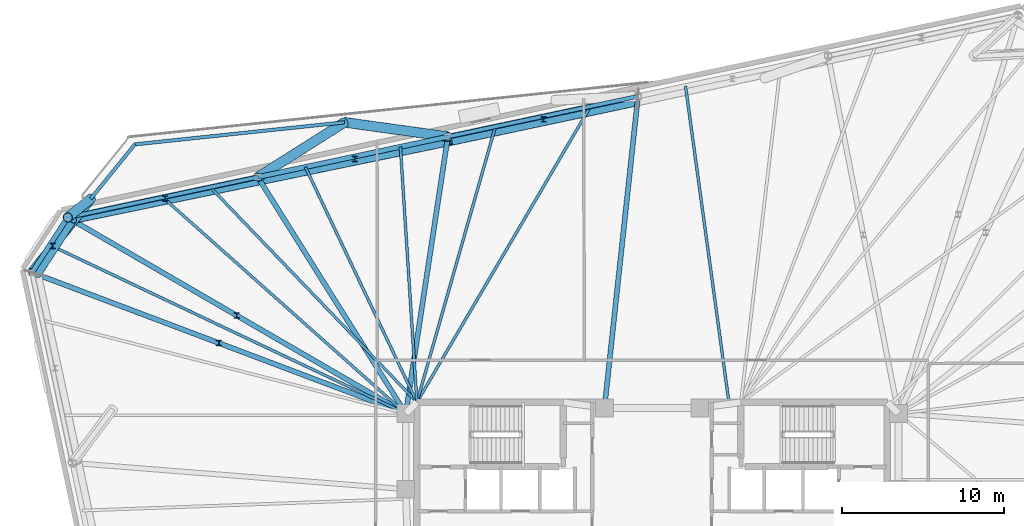
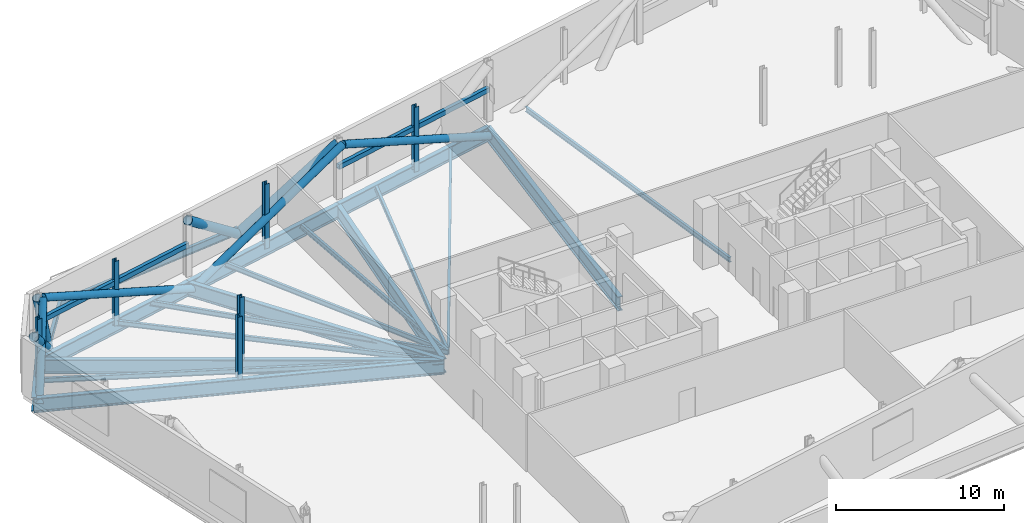
# One storey, part 9 of 19: 19 beams, 16 members.
"""IFC4 building model written with IfcOpenShell, lengths in metres."""

from ifc_helpers import new_model, si_unit, direction, frame, origin, origin_2d, place, context, subcontext, project, spatial, hollow_rectangle, hollow_circle, i_section, extrude, material, material_profile, profile_set, type_object, element, save


model = new_model("IFC4")

# Units and contexts
model_context = context("Model", 3, precision=1e-05, world=origin(), true_north=direction((0.0, 1.0)))
body_context = subcontext(model_context, "Body", "Model", "MODEL_VIEW")
ifc_project = project(units=[si_unit("LENGTHUNIT", "METRE"), si_unit("AREAUNIT", "SQUARE_METRE"), si_unit("VOLUMEUNIT", "CUBIC_METRE"), si_unit("PLANEANGLEUNIT", "RADIAN"), si_unit("MASSUNIT", "GRAM", prefix="KILO")], contexts=[model_context])

# Site, building, storey
site_placement = place(None, origin())
site = spatial("IfcSite", under=ifc_project, at=site_placement, CompositionType="ELEMENT")
building_placement = place(site_placement, origin())
building = spatial("IfcBuilding", under=site, at=building_placement, Name="Menara Jurai Vektor", CompositionType="ELEMENT")
storey_placement = place(building_placement, frame((0.0, 0.0, 142.89990234375)))
storey = spatial("IfcBuildingStorey", under=building, at=storey_placement, Name="L36", CompositionType="ELEMENT", Elevation=142.89990234375)

# Beams
ifc_material_1 = material(Name="Steel S355", Category="steel")
ifc_material_profile_1 = material_profile(ifc_material_1, i_section(OverallWidth=0.2109375, OverallDepth=0.5390625, WebThickness=0.011962890625, FlangeThickness=0.01904296875, FilletRadius=0.012939453125, at=origin_2d()), Name="UKB 533x210x109")
ifc_profile_set_1 = profile_set([ifc_material_profile_1], Name="Steel S355")
beam_type_1 = type_object("IfcBeamType", Name="STR-BM-533", PredefinedType="BEAM", material=ifc_profile_set_1)
beam_1_placement = place(storey_placement, frame((-19.042236328125, 22.92919921875, -0.67431640625), z_axis=(-0.994523580592, -0.104512428191, 0.0), x_axis=(0.104512428191, -0.994523580592, 0.0)))
element("IfcBeam", 1, at=beam_1_placement, inside=storey, type_object=beam_type_1, Name="Step Terrace Edge Beam L36-15", PredefinedType="BEAM", context=body_context, shape_type="SweptSolid", body=[
    extrude(i_section(OverallWidth=0.2109375, OverallDepth=0.5390625, WebThickness=0.011962890625, FlangeThickness=0.01904296875, FilletRadius=0.012939453125, at=origin_2d()), origin(), (0.0, 0.0, 1.0), 13.05126953125),
])
beam_2_placement = place(storey_placement, frame((-32.02197265625, 21.565185546875, -0.67431640625), z_axis=(-0.629309762217, -0.777154568396, 0.0), x_axis=(0.777154568396, -0.629309762217, 0.0)))
element("IfcBeam", 2, at=beam_2_placement, inside=storey, type_object=beam_type_1, Name="Step Terrace Edge Beam L36-16", PredefinedType="BEAM", context=body_context, shape_type="SweptSolid", body=[
    extrude(i_section(OverallWidth=0.2109375, OverallDepth=0.5390625, WebThickness=0.011962890625, FlangeThickness=0.01904296875, FilletRadius=0.012939453125, at=origin_2d()), origin(), (0.0, 0.0, 1.0), 4.3447265625),
])
ifc_material_2 = material(Name="Steel S460", Category="steel")
ifc_material_profile_2 = material_profile(ifc_material_2, i_section(OverallWidth=0.30908203125, OverallDepth=1.035888671875, WebThickness=0.030029296875, FlangeThickness=0.053955078125, FilletRadius=0.030029296875, at=origin_2d()), Name="UKB 1016x305x487")
ifc_profile_set_2 = profile_set([ifc_material_profile_2], Name="Steel S460")
beam_type_2 = type_object("IfcBeamType", Name="STR-BM-TR1016", PredefinedType="BEAM", material=ifc_profile_set_2)
beam_3_placement = place(storey_placement, frame((-0.87158203125, 24.54296875, -0.9228515625), z_axis=(-0.978147039247, -0.207914332389, 0.0), x_axis=(0.207914332389, -0.978147039247, 0.0)))
element("IfcBeam", 3, at=beam_3_placement, inside=storey, type_object=beam_type_2, Name="Belt Truss Bottom Chord L36-13", PredefinedType="BEAM", context=body_context, shape_type="SweptSolid", body=[
    extrude(i_section(OverallWidth=0.30908203125, OverallDepth=1.035888671875, WebThickness=0.030029296875, FlangeThickness=0.053955078125, FilletRadius=0.030029296875, at=origin_2d()), origin(), (0.0, 0.0, 1.0), 12.03125),
])
beam_4_placement = place(storey_placement, frame((-0.87158203125, 24.54296875, -0.9228515625), z_axis=(-0.107107067506, -0.994247492373, 0.0), x_axis=(0.994247492373, -0.107107067506, 0.0)))
element("IfcBeam", 4, at=beam_4_placement, inside=storey, type_object=beam_type_2, Name="Outrigger Transfer Girder L36-N3", PredefinedType="BEAM", context=body_context, shape_type="SweptSolid", body=[
    extrude(i_section(OverallWidth=0.30908203125, OverallDepth=1.035888671875, WebThickness=0.030029296875, FlangeThickness=0.053955078125, FilletRadius=0.030029296875, at=origin_2d()), origin(), (0.0, 0.0, 1.0), 19.404541015625),
])
beam_5_placement = place(storey_placement, frame((-12.639892578125, 22.04150390625, -0.9228515625), z_axis=(-0.978147039247, -0.207914332389, 0.0), x_axis=(0.207914332389, -0.978147039247, 0.0)))
element("IfcBeam", 5, at=beam_5_placement, inside=storey, type_object=beam_type_2, Name="Belt Truss Bottom Chord L36-14", PredefinedType="BEAM", context=body_context, shape_type="SweptSolid", body=[
    extrude(i_section(OverallWidth=0.30908203125, OverallDepth=1.035888671875, WebThickness=0.030029296875, FlangeThickness=0.053955078125, FilletRadius=0.030029296875, at=origin_2d()), origin(), (0.0, 0.0, 1.0), 12.03125),
])
beam_6_placement = place(storey_placement, frame((-12.639892578125, 22.04150390625, -0.9228515625), z_axis=(-0.150532344322, -0.988605084608, 0.0), x_axis=(0.988605084608, -0.150532344322, 0.0)))
element("IfcBeam", 6, at=beam_6_placement, inside=storey, type_object=beam_type_2, Name="Outrigger Transfer Girder L36-N4", PredefinedType="BEAM", context=body_context, shape_type="SweptSolid", body=[
    extrude(i_section(OverallWidth=0.30908203125, OverallDepth=1.035888671875, WebThickness=0.030029296875, FlangeThickness=0.053955078125, FilletRadius=0.030029296875, at=origin_2d()), origin(), (0.0, 0.0, 1.0), 17.339111328125),
])
beam_7_placement = place(storey_placement, frame((-24.408203125, 19.5400390625, -0.9228515625), z_axis=(-0.978150288855, -0.207899043801, 0.0), x_axis=(0.207899043801, -0.978150288855, 0.0)))
element("IfcBeam", 7, at=beam_7_placement, inside=storey, type_object=beam_type_2, Name="Belt Truss Bottom Chord L36-15", PredefinedType="BEAM", context=body_context, shape_type="SweptSolid", body=[
    extrude(i_section(OverallWidth=0.30908203125, OverallDepth=1.035888671875, WebThickness=0.030029296875, FlangeThickness=0.053955078125, FilletRadius=0.030029296875, at=origin_2d()), origin(), (0.0, 0.0, 1.0), 12.031005859375),
])
beam_8_placement = place(storey_placement, frame((-24.408203125, 19.5400390625, -0.9228515625), z_axis=(0.53033693414, -0.847786963976, 0.0), x_axis=(0.847786963976, 0.53033693414, 0.0)))
element("IfcBeam", 8, at=beam_8_placement, inside=storey, type_object=beam_type_2, Name="Outrigger Transfer Girder L36-N5", PredefinedType="BEAM", context=body_context, shape_type="SweptSolid", body=[
    extrude(i_section(OverallWidth=0.30908203125, OverallDepth=1.035888671875, WebThickness=0.030029296875, FlangeThickness=0.053955078125, FilletRadius=0.030029296875, at=origin_2d()), origin(), (0.0, 0.0, 1.0), 17.2685546875),
])
beam_9_placement = place(storey_placement, frame((-36.17626953125, 17.038818359375, -0.9228515625), z_axis=(-0.544646071268, -0.838665998507, 0.0), x_axis=(0.838665998507, -0.544646071268, 0.0)))
element("IfcBeam", 9, at=beam_9_placement, inside=storey, type_object=beam_type_2, Name="Belt Truss Bottom Chord L36-16", PredefinedType="BEAM", context=body_context, shape_type="SweptSolid", body=[
    extrude(i_section(OverallWidth=0.30908203125, OverallDepth=1.035888671875, WebThickness=0.030029296875, FlangeThickness=0.053955078125, FilletRadius=0.030029296875, at=origin_2d()), origin(), (0.0, 0.0, 1.0), 4.06201171875),
])
beam_10_placement = place(storey_placement, frame((-36.17626953125, 17.038818359375, -0.9228515625), z_axis=(0.86500105453, -0.50177004261, 0.0), x_axis=(0.50177004261, 0.86500105453, 0.0)))
element("IfcBeam", 10, at=beam_10_placement, inside=storey, type_object=beam_type_2, Name="Outrigger Transfer Girder L36-N6", PredefinedType="BEAM", context=body_context, shape_type="SweptSolid", body=[
    extrude(i_section(OverallWidth=0.30908203125, OverallDepth=1.035888671875, WebThickness=0.030029296875, FlangeThickness=0.053955078125, FilletRadius=0.030029296875, at=origin_2d()), origin(), (0.0, 0.0, 1.0), 24.192138671875),
])
beam_11_placement = place(storey_placement, frame((-38.388671875, 13.632080078125, -0.9228515625), z_axis=(0.935593658977, -0.353078610626, 0.0), x_axis=(0.353078610626, 0.935593658977, 0.0)))
element("IfcBeam", 11, at=beam_11_placement, inside=storey, type_object=beam_type_2, Name="Outrigger Transfer Girder L36-W1", PredefinedType="BEAM", context=body_context, shape_type="SweptSolid", body=[
    extrude(i_section(OverallWidth=0.30908203125, OverallDepth=1.035888671875, WebThickness=0.030029296875, FlangeThickness=0.053955078125, FilletRadius=0.030029296875, at=origin_2d()), origin(), (0.0, 0.0, 1.0), 24.7314453125),
])

# Members
ifc_material_profile_3 = material_profile(ifc_material_2, hollow_circle(Radius=0.25390625, WallThickness=0.02001953125, at=origin_2d()), Name="CHS 508x20")
ifc_profile_set_3 = profile_set([ifc_material_profile_3], Name="Steel S460")
member_type_1 = type_object("IfcMemberType", Name="STR-BR-508", PredefinedType="BRACE", material=ifc_profile_set_3)
member_1_placement = place(storey_placement, frame((-0.8955078125, 24.20361328125, -0.9228515625), z_axis=(-0.903436373892, -0.192034968748, 0.383308347296), x_axis=(0.207915460875, -0.978146799376, 0.0)))
element("IfcMember", 12, at=member_1_placement, inside=storey, type_object=member_type_1, Name="Belt Truss Web Diagonal L36-13", PredefinedType="BRACE", context=body_context, shape_type="SweptSolid", body=[
    extrude(hollow_circle(Radius=0.25390625, WallThickness=0.02001953125, at=origin_2d()), origin(), (0.0, 0.0, 1.0), 12.82275390625),
])
member_2_placement = place(storey_placement, frame((-24.137451171875, 19.334228515625, -0.9228515625), z_axis=(0.905210284945, 0.186903771791, 0.381656023299), x_axis=(-0.202210187103, 0.979342146664, 0.0)))
element("IfcMember", 13, at=member_2_placement, inside=storey, type_object=member_type_1, Name="Belt Truss Web Diagonal L36-14", PredefinedType="BRACE", context=body_context, shape_type="SweptSolid", body=[
    extrude(hollow_circle(Radius=0.25390625, WallThickness=0.02001953125, at=origin_2d()), origin(), (0.0, 0.0, 1.0), 12.878173828125),
])
member_3_placement = place(storey_placement, frame((-24.137451171875, 19.334228515625, -0.9228515625), z_axis=(-0.905887302714, -0.187560242737, 0.379722727955), x_axis=(0.202745835715, -0.979231395586, 0.0)))
element("IfcMember", 14, at=member_3_placement, inside=storey, type_object=member_type_1, Name="Belt Truss Web Diagonal L36-15", PredefinedType="BRACE", context=body_context, shape_type="SweptSolid", body=[
    extrude(hollow_circle(Radius=0.25390625, WallThickness=0.02001953125, at=origin_2d()), origin(), (0.0, 0.0, 1.0), 12.94384765625),
])
member_4_placement = place(storey_placement, frame((-38.06298828125, 13.5341796875, -0.9228515625), z_axis=(0.346245558175, 0.530761280111, 0.773567370679), x_axis=(-0.837540627395, 0.546375052013, 0.0)))
element("IfcMember", 15, at=member_4_placement, inside=storey, type_object=member_type_1, Name="Belt Truss Web Diagonal L36-16", PredefinedType="BRACE", context=body_context, shape_type="SweptSolid", body=[
    extrude(hollow_circle(Radius=0.25390625, WallThickness=0.02001953125, at=origin_2d()), origin(), (0.0, 0.0, 1.0), 6.353759765625),
])
ifc_material_profile_4 = material_profile(ifc_material_2, hollow_rectangle(XDim=0.25, YDim=0.35009765625, WallThickness=0.012451171875, at=origin_2d()), Name="RHS 350x250x12.5")
ifc_profile_set_4 = profile_set([ifc_material_profile_4], Name="Steel S460")
member_type_2 = type_object("IfcMemberType", Name="STR-CH-RHS350", PredefinedType="CHORD", material=ifc_profile_set_4)
for number, where, z_axis, x_axis, name in (
    (16, (-0.87158203125, 24.54296875, 2.255126953125), (-0.978147039247, -0.207914332389, 0.0), (0.207914332389, -0.978147039247, 0.0), "Belt Truss Mid Chord L36-13"),
    (17, (-24.407958984375, 19.5400390625, 2.255126953125), (-0.978147039247, -0.207914332389, 0.0), (0.207914332389, -0.978147039247, 0.0), "Belt Truss Mid Chord L36-15"),
):
    element("IfcMember", number, at=place(storey_placement, frame(where, z_axis=z_axis, x_axis=x_axis)), inside=storey, type_object=member_type_2, Name=name, PredefinedType="CHORD", context=body_context, shape_type="SweptSolid", body=[
        extrude(hollow_rectangle(XDim=0.25, YDim=0.35009765625, WallThickness=0.012451171875, at=origin_2d()), origin(), (0.0, 0.0, 1.0), 12.03125),
    ])

# Beams
ifc_material_profile_5 = material_profile(ifc_material_1, i_section(OverallWidth=0.172119140625, OverallDepth=0.35498046875, WebThickness=0.007080078125, FlangeThickness=0.011962890625, FilletRadius=0.010009765625, at=origin_2d()), Name="UKB 356x171x51")
ifc_profile_set_5 = profile_set([ifc_material_profile_5], Name="Steel S355")
beam_type_3 = type_object("IfcBeamType", Name="STR-JS-356", PredefinedType="JOIST", material=ifc_profile_set_5)
beam_12_placement = place(storey_placement, frame((2.0703125, 25.168212890625, -0.58251953125), z_axis=(0.135985700778, -0.990710799973, 0.0), x_axis=(0.990710799973, 0.135985700778, 0.0)))
element("IfcBeam", 18, at=beam_12_placement, inside=storey, type_object=beam_type_3, Name="Radial Secondary Floor Joist L36-JS21", PredefinedType="JOIST", context=body_context, shape_type="SweptSolid", body=[
    extrude(i_section(OverallWidth=0.172119140625, OverallDepth=0.35498046875, WebThickness=0.007080078125, FlangeThickness=0.011962890625, FilletRadius=0.010009765625, at=origin_2d()), origin(), (0.0, 0.0, 1.0), 19.852783203125),
])
beam_13_placement = place(storey_placement, frame((-3.813720703125, 23.91748046875, -0.58251953125), z_axis=(-0.506019514775, -0.862522029091, 0.0), x_axis=(0.862522029091, -0.506019514775, 0.0)))
element("IfcBeam", 19, at=beam_13_placement, inside=storey, type_object=beam_type_3, Name="Radial Secondary Floor Joist L36-JS22", PredefinedType="JOIST", context=body_context, shape_type="SweptSolid", body=[
    extrude(i_section(OverallWidth=0.172119140625, OverallDepth=0.35498046875, WebThickness=0.007080078125, FlangeThickness=0.011962890625, FilletRadius=0.010009765625, at=origin_2d()), origin(), (0.0, 0.0, 1.0), 21.237060546875),
])
beam_14_placement = place(storey_placement, frame((-9.69775390625, 22.666748046875, -0.58251953125), z_axis=(-0.273997863708, -0.961730300387, 0.0), x_axis=(0.961730300387, -0.273997863708, 0.0)))
element("IfcBeam", 20, at=beam_14_placement, inside=storey, type_object=beam_type_3, Name="Radial Secondary Floor Joist L36-JS23", PredefinedType="JOIST", context=body_context, shape_type="SweptSolid", body=[
    extrude(i_section(OverallWidth=0.172119140625, OverallDepth=0.35498046875, WebThickness=0.007080078125, FlangeThickness=0.011962890625, FilletRadius=0.010009765625, at=origin_2d()), origin(), (0.0, 0.0, 1.0), 17.745849609375),
])
beam_15_placement = place(storey_placement, frame((-15.581787109375, 21.416015625, -0.58251953125), z_axis=(0.064466897528, -0.997919846041, 0.0), x_axis=(0.997919846041, 0.064466897528, 0.0)))
element("IfcBeam", 21, at=beam_15_placement, inside=storey, type_object=beam_type_3, Name="Radial Secondary Floor Joist L36-JS24", PredefinedType="JOIST", context=body_context, shape_type="SweptSolid", body=[
    extrude(i_section(OverallWidth=0.172119140625, OverallDepth=0.35498046875, WebThickness=0.007080078125, FlangeThickness=0.011962890625, FilletRadius=0.010009765625, at=origin_2d()), origin(), (0.0, 0.0, 1.0), 15.848876953125),
])
beam_16_placement = place(storey_placement, frame((-21.466064453125, 20.165283203125, -0.58251953125), z_axis=(0.428426167333, -0.903576792057, 0.0), x_axis=(0.903576792057, 0.428426167333, 0.0)))
element("IfcBeam", 22, at=beam_16_placement, inside=storey, type_object=beam_type_3, Name="Radial Secondary Floor Joist L36-JS25", PredefinedType="JOIST", context=body_context, shape_type="SweptSolid", body=[
    extrude(i_section(OverallWidth=0.172119140625, OverallDepth=0.35498046875, WebThickness=0.007080078125, FlangeThickness=0.011962890625, FilletRadius=0.010009765625, at=origin_2d()), origin(), (0.0, 0.0, 1.0), 16.119384765625),
])
beam_17_placement = place(storey_placement, frame((-27.35009765625, 18.914794921875, -0.58251953125), z_axis=(0.692755307066, -0.721172714772, 0.0), x_axis=(0.721172714772, 0.692755307066, 0.0)))
element("IfcBeam", 23, at=beam_17_placement, inside=storey, type_object=beam_type_3, Name="Radial Secondary Floor Joist L36-JS26", PredefinedType="JOIST", context=body_context, shape_type="SweptSolid", body=[
    extrude(i_section(OverallWidth=0.172119140625, OverallDepth=0.35498046875, WebThickness=0.007080078125, FlangeThickness=0.011962890625, FilletRadius=0.010009765625, at=origin_2d()), origin(), (0.0, 0.0, 1.0), 18.462646484375),
])
beam_18_placement = place(storey_placement, frame((-30.292236328125, 18.289306640625, -0.58251953125), z_axis=(0.746952302948, -0.664877625673, 0.0), x_axis=(0.664877625673, 0.746952302948, 0.0)))
element("IfcBeam", 24, at=beam_18_placement, inside=storey, type_object=beam_type_3, Name="Radial Secondary Floor Joist L36-JS27", PredefinedType="JOIST", context=body_context, shape_type="SweptSolid", body=[
    extrude(i_section(OverallWidth=0.172119140625, OverallDepth=0.35498046875, WebThickness=0.007080078125, FlangeThickness=0.011962890625, FilletRadius=0.010009765625, at=origin_2d()), origin(), (0.0, 0.0, 1.0), 20.13818359375),
])
beam_19_placement = place(storey_placement, frame((-37.282470703125, 15.33544921875, -0.58251953125), z_axis=(0.903751908448, -0.428056641085, 0.0), x_axis=(0.428056641085, 0.903751908448, 0.0)))
element("IfcBeam", 25, at=beam_19_placement, inside=storey, type_object=beam_type_3, Name="Radial Secondary Floor Joist L36-JS28", PredefinedType="JOIST", context=body_context, shape_type="SweptSolid", body=[
    extrude(i_section(OverallWidth=0.172119140625, OverallDepth=0.35498046875, WebThickness=0.007080078125, FlangeThickness=0.011962890625, FilletRadius=0.010009765625, at=origin_2d()), origin(), (0.0, 0.0, 1.0), 24.37890625),
])

# Members
ifc_material_profile_6 = material_profile(ifc_material_2, i_section(OverallWidth=0.31103515625, OverallDepth=0.326904296875, WebThickness=0.01611328125, FlangeThickness=0.02490234375, FilletRadius=0.014892578125, at=origin_2d()), Name="UKC 305x305x158")
ifc_profile_set_6 = profile_set([ifc_material_profile_6], Name="Steel S460")
member_type_3 = type_object("IfcMemberType", Name="STR-POST-305", PredefinedType="POST", material=ifc_profile_set_6)
for number, where, z_axis, x_axis, name in (
    (26, (-6.71826171875, 23.1162109375, -0.7548828125), (0.0, 0.0, 1.0), (1.0, 0.0, 0.0), "Belt Truss Vertical Web Post L36-13"),
    (27, (-18.40380859375, 20.65673828125, -0.7548828125), (0.0, 0.0, 1.0), (1.0, 0.0, 0.0), "Belt Truss Vertical Web Post L36-14"),
    (28, (-30.134765625, 18.201904296875, -0.7548828125), (0.0, 0.0, 1.0), (1.0, 0.0, 0.0), "Belt Truss Vertical Web Post L36-15"),
):
    element("IfcMember", number, at=place(storey_placement, frame(where, z_axis=z_axis, x_axis=x_axis)), inside=storey, type_object=member_type_3, Name=name, PredefinedType="POST", context=body_context, shape_type="SweptSolid", body=[
        extrude(i_section(OverallWidth=0.31103515625, OverallDepth=0.326904296875, WebThickness=0.01611328125, FlangeThickness=0.02490234375, FilletRadius=0.014892578125, at=origin_2d()), origin(), (0.0, 0.0, 1.0), 4.705078125),
    ])
member_5_placement = place(storey_placement, frame((-25.713134765625, 10.96923828125, -0.40478515625), z_axis=(0.0, 0.0, 1.0), x_axis=(1.0, 0.0, 0.0)))
element("IfcMember", 29, at=member_5_placement, inside=storey, type_object=member_type_3, Name="Girder Hanger L36-N6", PredefinedType="POST", context=body_context, shape_type="SweptSolid", body=[
    extrude(i_section(OverallWidth=0.31103515625, OverallDepth=0.326904296875, WebThickness=0.01611328125, FlangeThickness=0.02490234375, FilletRadius=0.014892578125, at=origin_2d()), origin(), (0.0, 0.0, 1.0), 4.554931640625),
])
member_6_placement = place(storey_placement, frame((-37.113037109375, 15.2744140625, -0.7548828125), z_axis=(0.0, 0.0, 1.0), x_axis=(1.0, 0.0, 0.0)))
element("IfcMember", 30, at=member_6_placement, inside=storey, type_object=member_type_3, Name="Belt Truss Vertical Web Post L36-16", PredefinedType="POST", context=body_context, shape_type="SweptSolid", body=[
    extrude(i_section(OverallWidth=0.31103515625, OverallDepth=0.326904296875, WebThickness=0.01611328125, FlangeThickness=0.02490234375, FilletRadius=0.014892578125, at=origin_2d()), origin(), (0.0, 0.0, 1.0), 4.705078125),
])
member_7_placement = place(storey_placement, frame((-26.8193359375, 9.26611328125, -0.40478515625), z_axis=(0.0, 0.0, 1.0), x_axis=(1.0, 0.0, 0.0)))
element("IfcMember", 31, at=member_7_placement, inside=storey, type_object=member_type_3, Name="Girder Hanger L36-W1", PredefinedType="POST", context=body_context, shape_type="SweptSolid", body=[
    extrude(i_section(OverallWidth=0.31103515625, OverallDepth=0.326904296875, WebThickness=0.01611328125, FlangeThickness=0.02490234375, FilletRadius=0.014892578125, at=origin_2d()), origin(), (0.0, 0.0, 1.0), 4.554931640625),
])
ifc_material_profile_7 = material_profile(ifc_material_2, hollow_circle(Radius=0.304931640625, WallThickness=0.02490234375, at=origin_2d()), Name="CHS 610x25")
ifc_profile_set_7 = profile_set([ifc_material_profile_7], Name="Steel S460")
member_type_4 = type_object("IfcMemberType", Name="STR-ST-610", PredefinedType="STRUT", material=ifc_profile_set_7)
member_8_placement = place(storey_placement, frame((-19.042236328125, 22.929443359375, -0.9228515625), z_axis=(0.78845610793, -0.109350780374, 0.605292799147), x_axis=(0.137374850606, 0.990519131779, 0.0)))
element("IfcMember", 32, at=member_8_placement, inside=storey, type_object=member_type_4, Name="Transfer Outrigger Strut L36-N4", PredefinedType="STRUT", context=body_context, shape_type="SweptSolid", body=[
    extrude(hollow_circle(Radius=0.304931640625, WallThickness=0.02490234375, at=origin_2d()), origin(), (0.0, 0.0, 1.0), 8.1201171875),
])
member_9_placement = place(storey_placement, frame((-19.042236328125, 22.929443359375, -0.9228515625), z_axis=(-0.668438943112, -0.422237594286, 0.612294694819), x_axis=(0.53405232994, -0.845451423138, 0.0)))
element("IfcMember", 33, at=member_9_placement, inside=storey, type_object=member_type_4, Name="Transfer Outrigger Strut L36-N5", PredefinedType="STRUT", context=body_context, shape_type="SweptSolid", body=[
    extrude(hollow_circle(Radius=0.304931640625, WallThickness=0.02490234375, at=origin_2d()), origin(), (0.0, 0.0, 1.0), 8.02734375),
])
member_10_placement = place(storey_placement, frame((-34.756103515625, 18.188720703125, -0.9228515625), z_axis=(-0.270828242966, -0.219335027095, 0.937306891419), x_axis=(0.629359625495, -0.77711418839, 0.0)))
element("IfcMember", 34, at=member_10_placement, inside=storey, type_object=member_type_4, Name="Transfer Outrigger Strut L36-N6", PredefinedType="STRUT", context=body_context, shape_type="SweptSolid", body=[
    extrude(hollow_circle(Radius=0.304931640625, WallThickness=0.02490234375, at=origin_2d()), origin(), (0.0, 0.0, 1.0), 5.243896484375),
])
member_11_placement = place(storey_placement, frame((-34.756103515625, 18.188720703125, -0.9228515625), z_axis=(-0.476502771938, -0.597718108438, 0.644731084391), x_axis=(0.781934469028, -0.623360638913, 0.0)))
element("IfcMember", 35, at=member_11_placement, inside=storey, type_object=member_type_4, Name="Transfer Outrigger Strut L36-W1", PredefinedType="STRUT", context=body_context, shape_type="SweptSolid", body=[
    extrude(hollow_circle(Radius=0.304931640625, WallThickness=0.02490234375, at=origin_2d()), origin(), (0.0, 0.0, 1.0), 7.623291015625),
])

save(model, "model.ifc")
